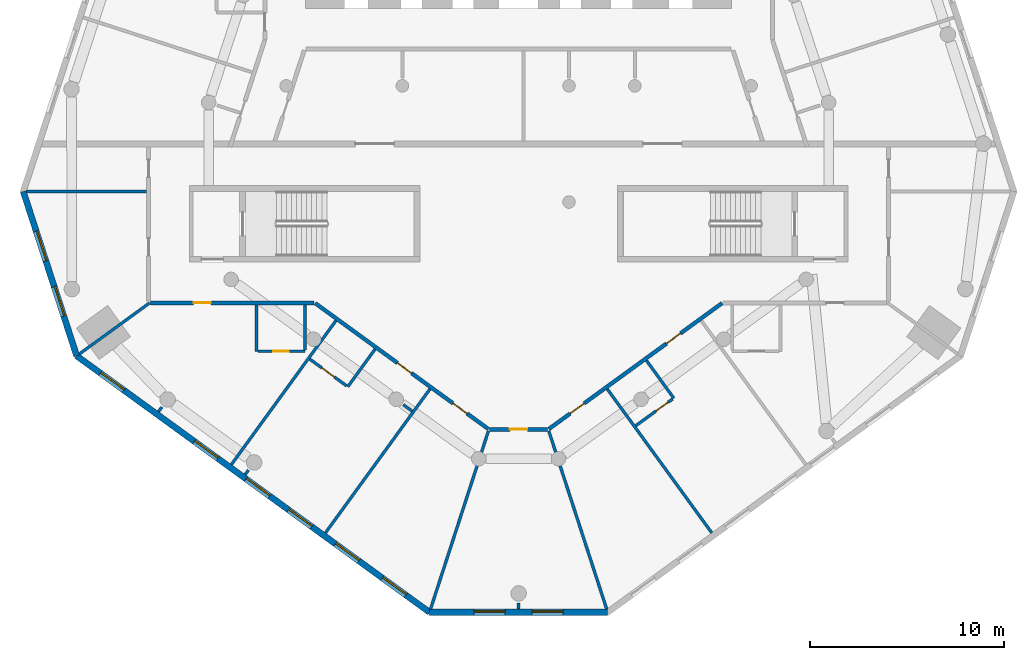
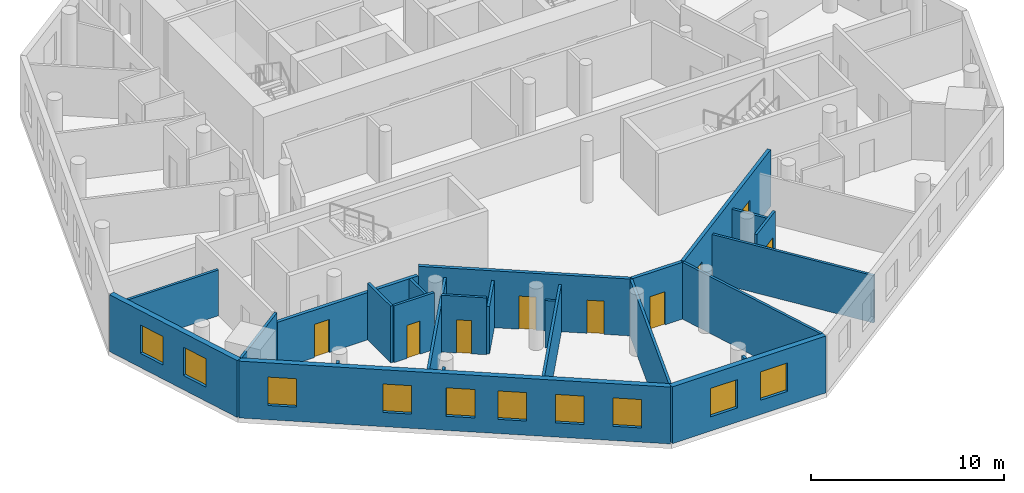
# One storey, part 2 of 9: 25 walls, 10 windows, 9 doors, 19 openings.
"""IFC4 building model written with IfcOpenShell, lengths in metres."""

from ifc_helpers import new_model, si_unit, direction, frame, frame_2d, origin, place, context, subcontext, project, spatial, rectangle, extrude, material, layer, layer_set, type_object, element, fill, save


model = new_model("IFC4")

# Units and contexts
model_context = context("Model", 3, precision=1e-05, world=origin(), true_north=direction((0.0, 1.0)))
body_context = subcontext(model_context, "Body", "Model", "MODEL_VIEW")
ifc_project = project(units=[si_unit("LENGTHUNIT", "METRE"), si_unit("AREAUNIT", "SQUARE_METRE"), si_unit("VOLUMEUNIT", "CUBIC_METRE"), si_unit("PLANEANGLEUNIT", "RADIAN"), si_unit("MASSUNIT", "GRAM", prefix="KILO")], contexts=[model_context])

# Site, building, storey
site_placement = place(None, origin())
site = spatial("IfcSite", under=ifc_project, at=site_placement, CompositionType="ELEMENT")
building_placement = place(site_placement, origin())
building = spatial("IfcBuilding", under=site, at=building_placement, Name="White Candle Pilgrim Tower", CompositionType="ELEMENT")
storey_placement = place(building_placement, frame((0.0, 0.0, 122.0)))
storey = spatial("IfcBuildingStorey", under=building, at=storey_placement, Name="L27", CompositionType="ELEMENT", Elevation=122.0)

# Wall, openings, doors
ifc_material_1 = material(Name="Gypsum board on steel studs", Category="steel")
ifc_layer_1 = layer(ifc_material_1, 0.199951171875)
ifc_layer_set_1 = layer_set([ifc_layer_1], Name="Corridor wall 200 mm EI 45")
wall_type_1 = type_object("IfcWallType", Name="Corridor wall 200 mm EI 45", PredefinedType="PARTITIONING", material=ifc_layer_set_1)
wall_1_placement = place(storey_placement, frame((80.49951171875, 55.781005859375, 0.0), z_axis=(0.0, 0.0, 1.0), x_axis=(-0.809011116472, -0.587793342447, 0.0)))
wall_1 = element("IfcWall", 1, at=wall_1_placement, inside=storey, type_object=wall_type_1, Name="WL-L27-P008", PredefinedType="PARTITIONING", context=body_context, shape_type="SweptSolid", body=[
    extrude(rectangle(XDim=11.0517578125, YDim=0.199951171875, at=frame_2d((5.52587890625, 0.0))), origin(), (0.0, 0.0, 1.0), 3.60009765625),
])
opening_1_placement = place(wall_1_placement, frame((8.789794921875, 0.0, 0.0)))
opening_1 = element("IfcOpeningElement", 2, at=opening_1_placement, cuts=wall_1, Name="Opening T08-110", PredefinedType="OPENING", context=body_context, shape_type="SweptSolid", body=[
    extrude(rectangle(XDim=0.89990234375, YDim=2.10009765625, at=frame_2d((0.449951171875, 1.050048828125))), frame((0.0, 0.10986328125, 0.0), z_axis=(0.0, -1.0, 0.0), x_axis=(1.0, 0.0, 0.0)), (0.0, 0.0, 1.0), 0.219970703125),
])
opening_2_placement = place(wall_1_placement, frame((2.6455078125, 0.0, 0.0)))
opening_2 = element("IfcOpeningElement", 3, at=opening_2_placement, cuts=wall_1, Name="Opening T08-112", PredefinedType="OPENING", context=body_context, shape_type="SweptSolid", body=[
    extrude(rectangle(XDim=0.89990234375, YDim=2.10009765625, at=frame_2d((0.449951171875, 1.050048828125))), frame((0.0, 0.10986328125, 0.0), z_axis=(0.0, -1.0, 0.0), x_axis=(1.0, 0.0, 0.0)), (0.0, 0.0, 1.0), 0.219970703125),
])
ifc_material_2 = material(Name="Steel door leaf", Category="steel")
door_type_1 = type_object("IfcDoorType", Name="Fire door 900 x 2100 EI 30", OperationType="NOTDEFINED", PredefinedType="DOOR", material=ifc_material_2)
door_1_placement = place(opening_1_placement, origin())
door_1 = element("IfcDoor", 4, at=door_1_placement, inside=storey, type_object=door_type_1, Name="Door T08-110", OperationType="SINGLE_SWING_RIGHT", OverallHeight=2.10009765625, OverallWidth=0.89990234375, PredefinedType="DOOR", context=body_context, shape_type="SweptSolid", body=[
    extrude(rectangle(XDim=0.89990234375, YDim=2.10009765625, at=frame_2d((0.449951171875, 1.050048828125))), frame((0.0, 0.02490234375, 0.0), z_axis=(0.0, -1.0, 0.0), x_axis=(1.0, 0.0, 0.0)), (0.0, 0.0, 1.0), 0.050048828125),
])
fill(opening_1, door_1)
door_2_placement = place(opening_2_placement, origin())
door_2 = element("IfcDoor", 5, at=door_2_placement, inside=storey, type_object=door_type_1, Name="Door T08-112", OperationType="SINGLE_SWING_RIGHT", OverallHeight=2.10009765625, OverallWidth=0.89990234375, PredefinedType="DOOR", context=body_context, shape_type="SweptSolid", body=[
    extrude(rectangle(XDim=0.89990234375, YDim=2.10009765625, at=frame_2d((0.449951171875, 1.050048828125))), frame((0.0, 0.02490234375, 0.0), z_axis=(0.0, -1.0, 0.0), x_axis=(1.0, 0.0, 0.0)), (0.0, 0.0, 1.0), 0.050048828125),
])
fill(opening_2, door_2)

# Wall, opening, door
wall_2_placement = place(storey_placement, frame((71.499755859375, 49.265869140625, 0.0), z_axis=(0.0, 0.0, 1.0), x_axis=(-1.0, 0.0, 0.0)))
wall_2 = element("IfcWall", 6, at=wall_2_placement, inside=storey, type_object=wall_type_1, Name="WL-L27-P009", PredefinedType="PARTITIONING", context=body_context, shape_type="SweptSolid", body=[
    extrude(rectangle(XDim=2.99951171875, YDim=0.199951171875, at=frame_2d((1.499755859375, 0.0))), origin(), (0.0, 0.0, 1.0), 3.60009765625),
])
opening_3_placement = place(wall_2_placement, frame((1.0498046875, 0.0, 0.0)))
opening_3 = element("IfcOpeningElement", 7, at=opening_3_placement, cuts=wall_2, Name="Opening T08-109", PredefinedType="OPENING", context=body_context, shape_type="SweptSolid", body=[
    extrude(rectangle(XDim=0.89990234375, YDim=2.10009765625, at=frame_2d((0.449951171875, 1.050048828125))), frame((0.0, 0.10986328125, 0.0), z_axis=(0.0, -1.0, 0.0), x_axis=(1.0, 0.0, 0.0)), (0.0, 0.0, 1.0), 0.219970703125),
])
door_3_placement = place(opening_3_placement, origin())
door_3 = element("IfcDoor", 8, at=door_3_placement, inside=storey, type_object=door_type_1, Name="Door T08-109", OperationType="SINGLE_SWING_LEFT", OverallHeight=2.10009765625, OverallWidth=0.89990234375, PredefinedType="DOOR", context=body_context, shape_type="SweptSolid", body=[
    extrude(rectangle(XDim=0.89990234375, YDim=2.10009765625, at=frame_2d((0.449951171875, 1.050048828125))), frame((0.0, 0.02490234375, 0.0), z_axis=(0.0, -1.0, 0.0), x_axis=(1.0, 0.0, 0.0)), (0.0, 0.0, 1.0), 0.050048828125),
])
fill(opening_3, door_3)

# Wall, openings, doors
wall_3_placement = place(storey_placement, frame((68.44140625, 49.284912109375, 0.0), z_axis=(0.0, 0.0, 1.0), x_axis=(-0.809011116472, 0.587793342447, 0.0)))
wall_3 = element("IfcWall", 9, at=wall_3_placement, inside=storey, type_object=wall_type_1, Name="WL-L27-P010", PredefinedType="PARTITIONING", context=body_context, shape_type="SweptSolid", body=[
    extrude(rectangle(XDim=11.0517578125, YDim=0.199951171875, at=frame_2d((5.52587890625, 0.0))), origin(), (0.0, 0.0, 1.0), 3.60009765625),
])
opening_4_placement = place(wall_3_placement, frame((4.906005859375, 0.0, 0.0)))
opening_4 = element("IfcOpeningElement", 10, at=opening_4_placement, cuts=wall_3, Name="Opening T08-107", PredefinedType="OPENING", context=body_context, shape_type="SweptSolid", body=[
    extrude(rectangle(XDim=0.89990234375, YDim=2.10009765625, at=frame_2d((0.449951171875, 1.050048828125))), frame((0.0, 0.10986328125, 0.0), z_axis=(0.0, -1.0, 0.0), x_axis=(1.0, 0.0, 0.0)), (0.0, 0.0, 1.0), 0.219970703125),
])
opening_5_placement = place(wall_3_placement, frame((1.36181640625, 0.0, 0.0)))
opening_5 = element("IfcOpeningElement", 11, at=opening_5_placement, cuts=wall_3, Name="Opening T08-108", PredefinedType="OPENING", context=body_context, shape_type="SweptSolid", body=[
    extrude(rectangle(XDim=0.89990234375, YDim=2.10009765625, at=frame_2d((0.449951171875, 1.050048828125))), frame((0.0, 0.10986328125, 0.0), z_axis=(0.0, -1.0, 0.0), x_axis=(1.0, 0.0, 0.0)), (0.0, 0.0, 1.0), 0.219970703125),
])
door_4_placement = place(opening_4_placement, origin())
door_4 = element("IfcDoor", 12, at=door_4_placement, inside=storey, type_object=door_type_1, Name="Door T08-107", OperationType="SINGLE_SWING_LEFT", OverallHeight=2.10009765625, OverallWidth=0.89990234375, PredefinedType="DOOR", context=body_context, shape_type="SweptSolid", body=[
    extrude(rectangle(XDim=0.89990234375, YDim=2.10009765625, at=frame_2d((0.449951171875, 1.050048828125))), frame((0.0, 0.02490234375, 0.0), z_axis=(0.0, -1.0, 0.0), x_axis=(1.0, 0.0, 0.0)), (0.0, 0.0, 1.0), 0.050048828125),
])
fill(opening_4, door_4)
door_5_placement = place(opening_5_placement, origin())
door_5 = element("IfcDoor", 13, at=door_5_placement, inside=storey, type_object=door_type_1, Name="Door T08-108", OperationType="SINGLE_SWING_RIGHT", OverallHeight=2.10009765625, OverallWidth=0.89990234375, PredefinedType="DOOR", context=body_context, shape_type="SweptSolid", body=[
    extrude(rectangle(XDim=0.89990234375, YDim=2.10009765625, at=frame_2d((0.449951171875, 1.050048828125))), frame((0.0, 0.02490234375, 0.0), z_axis=(0.0, -1.0, 0.0), x_axis=(1.0, 0.0, 0.0)), (0.0, 0.0, 1.0), 0.050048828125),
])
fill(opening_5, door_5)

# Wall, opening, door
wall_4_placement = place(storey_placement, frame((59.44189453125, 55.800048828125, 0.0), z_axis=(0.0, 0.0, 1.0), x_axis=(-1.0, 0.0, 0.0)))
wall_4 = element("IfcWall", 14, at=wall_4_placement, inside=storey, type_object=wall_type_1, Name="WL-L27-P011", PredefinedType="PARTITIONING", context=body_context, shape_type="SweptSolid", body=[
    extrude(rectangle(XDim=8.44189453125, YDim=0.199951171875, at=frame_2d((4.220947265625, 0.0))), origin(), (0.0, 0.0, 1.0), 3.0),
])
opening_6_placement = place(wall_4_placement, frame((5.3232421875, 0.0, 0.0)))
opening_6 = element("IfcOpeningElement", 15, at=opening_6_placement, cuts=wall_4, Name="Opening T08-105", PredefinedType="OPENING", context=body_context, shape_type="SweptSolid", body=[
    extrude(rectangle(XDim=0.89990234375, YDim=2.10009765625, at=frame_2d((0.449951171875, 1.050048828125))), frame((0.0, 0.10986328125, 0.0), z_axis=(0.0, -1.0, 0.0), x_axis=(1.0, 0.0, 0.0)), (0.0, 0.0, 1.0), 0.219970703125),
])
door_6_placement = place(opening_6_placement, origin())
door_6 = element("IfcDoor", 16, at=door_6_placement, inside=storey, type_object=door_type_1, Name="Door T08-105", OperationType="SINGLE_SWING_LEFT", OverallHeight=2.10009765625, OverallWidth=0.89990234375, PredefinedType="DOOR", context=body_context, shape_type="SweptSolid", body=[
    extrude(rectangle(XDim=0.89990234375, YDim=2.10009765625, at=frame_2d((0.449951171875, 1.050048828125))), frame((0.0, 0.02490234375, 0.0), z_axis=(0.0, -1.0, 0.0), x_axis=(1.0, 0.0, 0.0)), (0.0, 0.0, 1.0), 0.050048828125),
])
fill(opening_6, door_6)

# Wall, openings, windows
ifc_material_3 = material(Name="Precast concrete C40/50", Category="concrete")
ifc_layer_2 = layer(ifc_material_3, 0.320068359375)
ifc_layer_set_2 = layer_set([ifc_layer_2], Name="Facade wall EW1 precast concrete C40/50 pier wall with timber-lined reveals")
wall_type_2 = type_object("IfcWallType", Name="Facade wall EW1 precast concrete C40/50 pier wall with timber-lined reveals", PredefinedType="SOLIDWALL", material=ifc_layer_set_2)
wall_5_placement = place(storey_placement, frame((44.431396484375, 61.54296875, 0.0), z_axis=(0.0, 0.0, 1.0), x_axis=(0.309002538333, -0.951061213227, 0.0)))
wall_5 = element("IfcWall", 17, at=wall_5_placement, inside=storey, type_object=wall_type_2, Name="Facade wall L27 W chamfer", PredefinedType="SOLIDWALL", context=body_context, shape_type="SweptSolid", body=[
    extrude(rectangle(XDim=8.921630859375, YDim=0.320068359375, at=frame_2d((4.4609375, 0.0))), origin(), (0.0, 0.0, 1.0), 3.60009765625),
])
opening_7_placement = place(wall_5_placement, frame((2.160888671875, 0.0, 0.89990234375)))
opening_7 = element("IfcOpeningElement", 18, at=opening_7_placement, cuts=wall_5, Name="Opening W2", PredefinedType="OPENING", context=body_context, shape_type="SweptSolid", body=[
    extrude(rectangle(XDim=1.60009765625, YDim=1.800048828125, at=frame_2d((0.800048828125, 0.89990234375))), frame((0.0, 0.169921875, 0.0), z_axis=(0.0, -1.0, 0.0), x_axis=(1.0, 0.0, 0.0)), (0.0, 0.0, 1.0), 0.340087890625),
])
opening_8_placement = place(wall_5_placement, frame((5.160888671875, 0.0, 0.89990234375)))
opening_8 = element("IfcOpeningElement", 19, at=opening_8_placement, cuts=wall_5, Name="Opening W2", PredefinedType="OPENING", context=body_context, shape_type="SweptSolid", body=[
    extrude(rectangle(XDim=1.60009765625, YDim=1.800048828125, at=frame_2d((0.800048828125, 0.89990234375))), frame((0.0, 0.169921875, 0.0), z_axis=(0.0, -1.0, 0.0), x_axis=(1.0, 0.0, 0.0)), (0.0, 0.0, 1.0), 0.340087890625),
])
ifc_material_4 = material(Name="Timber frame with triple glazing", Category="wood")
window_type_1 = type_object("IfcWindowType", Name="Window W2 1600x1800 timber frame triple glazing", PartitioningType="SINGLE_PANEL", PredefinedType="WINDOW", material=ifc_material_4)
window_1_placement = place(opening_7_placement, origin())
window_1 = element("IfcWindow", 20, at=window_1_placement, inside=storey, type_object=window_type_1, Name="Window W2 L27 W chamfer 1", OverallHeight=1.800048828125, OverallWidth=1.60009765625, PartitioningType="SINGLE_PANEL", PredefinedType="WINDOW", context=body_context, shape_type="SweptSolid", body=[
    extrude(rectangle(XDim=1.60009765625, YDim=1.800048828125, at=frame_2d((0.800048828125, 0.89990234375))), frame((0.0, 0.070068359375, 0.0), z_axis=(0.0, -1.0, 0.0), x_axis=(1.0, 0.0, 0.0)), (0.0, 0.0, 1.0), 0.06005859375),
])
fill(opening_7, window_1)
window_2_placement = place(opening_8_placement, origin())
window_2 = element("IfcWindow", 21, at=window_2_placement, inside=storey, type_object=window_type_1, Name="Window W2 L27 W chamfer 2", OverallHeight=1.800048828125, OverallWidth=1.60009765625, PartitioningType="SINGLE_PANEL", PredefinedType="WINDOW", context=body_context, shape_type="SweptSolid", body=[
    extrude(rectangle(XDim=1.60009765625, YDim=1.800048828125, at=frame_2d((0.800048828125, 0.89990234375))), frame((0.0, 0.070068359375, 0.0), z_axis=(0.0, -1.0, 0.0), x_axis=(1.0, 0.0, 0.0)), (0.0, 0.0, 1.0), 0.06005859375),
])
fill(opening_8, window_2)

wall_6_placement = place(storey_placement, frame((47.188232421875, 53.057861328125, 0.0), z_axis=(0.0, 0.0, 1.0), x_axis=(0.809016442358, -0.587786012077, 0.0)))
wall_6 = element("IfcWall", 22, at=wall_6_placement, inside=storey, type_object=wall_type_2, Name="Facade wall L27 SW", PredefinedType="SOLIDWALL", context=body_context, shape_type="SweptSolid", body=[
    extrude(rectangle(XDim=22.511474609375, YDim=0.320068359375, at=frame_2d((11.255859375, 0.0))), origin(), (0.0, 0.0, 1.0), 3.60009765625),
])
opening_9_placement = place(wall_6_placement, frame((1.505615234375, 0.0, 0.89990234375)))
opening_9 = element("IfcOpeningElement", 23, at=opening_9_placement, cuts=wall_6, Name="Opening W1", PredefinedType="OPENING", context=body_context, shape_type="SweptSolid", body=[
    extrude(rectangle(XDim=1.5, YDim=1.800048828125, at=frame_2d((0.75, 0.89990234375))), frame((0.0, 0.169921875, 0.0), z_axis=(0.0, -1.0, 0.0), x_axis=(1.0, 0.0, 0.0)), (0.0, 0.0, 1.0), 0.340087890625),
])
opening_10_placement = place(wall_6_placement, frame((7.505615234375, 0.0, 0.89990234375)))
opening_10 = element("IfcOpeningElement", 24, at=opening_10_placement, cuts=wall_6, Name="Opening W1", PredefinedType="OPENING", context=body_context, shape_type="SweptSolid", body=[
    extrude(rectangle(XDim=1.5, YDim=1.800048828125, at=frame_2d((0.75, 0.89990234375))), frame((0.0, 0.169921875, 0.0), z_axis=(0.0, -1.0, 0.0), x_axis=(1.0, 0.0, 0.0)), (0.0, 0.0, 1.0), 0.340087890625),
])
opening_11_placement = place(wall_6_placement, frame((10.80859375, 0.0, 0.89990234375)))
opening_11 = element("IfcOpeningElement", 25, at=opening_11_placement, cuts=wall_6, Name="Opening W1", PredefinedType="OPENING", context=body_context, shape_type="SweptSolid", body=[
    extrude(rectangle(XDim=1.5, YDim=1.800048828125, at=frame_2d((0.75, 0.89990234375))), frame((0.0, 0.169921875, 0.0), z_axis=(0.0, -1.0, 0.0), x_axis=(1.0, 0.0, 0.0)), (0.0, 0.0, 1.0), 0.340087890625),
])
opening_12_placement = place(wall_6_placement, frame((13.505615234375, 0.0, 0.89990234375)))
opening_12 = element("IfcOpeningElement", 26, at=opening_12_placement, cuts=wall_6, Name="Opening W1", PredefinedType="OPENING", context=body_context, shape_type="SweptSolid", body=[
    extrude(rectangle(XDim=1.5, YDim=1.800048828125, at=frame_2d((0.75, 0.89990234375))), frame((0.0, 0.169921875, 0.0), z_axis=(0.0, -1.0, 0.0), x_axis=(1.0, 0.0, 0.0)), (0.0, 0.0, 1.0), 0.340087890625),
])
opening_13_placement = place(wall_6_placement, frame((16.505615234375, 0.0, 0.89990234375)))
opening_13 = element("IfcOpeningElement", 27, at=opening_13_placement, cuts=wall_6, Name="Opening W1", PredefinedType="OPENING", context=body_context, shape_type="SweptSolid", body=[
    extrude(rectangle(XDim=1.5, YDim=1.800048828125, at=frame_2d((0.75, 0.89990234375))), frame((0.0, 0.169921875, 0.0), z_axis=(0.0, -1.0, 0.0), x_axis=(1.0, 0.0, 0.0)), (0.0, 0.0, 1.0), 0.340087890625),
])
opening_14_placement = place(wall_6_placement, frame((19.505615234375, 0.0, 0.89990234375)))
opening_14 = element("IfcOpeningElement", 28, at=opening_14_placement, cuts=wall_6, Name="Opening W1", PredefinedType="OPENING", context=body_context, shape_type="SweptSolid", body=[
    extrude(rectangle(XDim=1.5, YDim=1.800048828125, at=frame_2d((0.75, 0.89990234375))), frame((0.0, 0.169921875, 0.0), z_axis=(0.0, -1.0, 0.0), x_axis=(1.0, 0.0, 0.0)), (0.0, 0.0, 1.0), 0.340087890625),
])
window_type_2 = type_object("IfcWindowType", Name="Window W1 1500x1800 timber frame triple glazing", PartitioningType="SINGLE_PANEL", PredefinedType="WINDOW", material=ifc_material_4)
window_3_placement = place(opening_9_placement, origin())
window_3 = element("IfcWindow", 29, at=window_3_placement, inside=storey, type_object=window_type_2, Name="Window W1 L27 SW 1", OverallHeight=1.800048828125, OverallWidth=1.5, PartitioningType="SINGLE_PANEL", PredefinedType="WINDOW", context=body_context, shape_type="SweptSolid", body=[
    extrude(rectangle(XDim=1.5, YDim=1.800048828125, at=frame_2d((0.75, 0.89990234375))), frame((0.0, 0.070068359375, 0.0), z_axis=(0.0, -1.0, 0.0), x_axis=(1.0, 0.0, 0.0)), (0.0, 0.0, 1.0), 0.06005859375),
])
fill(opening_9, window_3)
window_4_placement = place(opening_10_placement, origin())
window_4 = element("IfcWindow", 30, at=window_4_placement, inside=storey, type_object=window_type_2, Name="Window W1 L27 SW 3", OverallHeight=1.800048828125, OverallWidth=1.5, PartitioningType="SINGLE_PANEL", PredefinedType="WINDOW", context=body_context, shape_type="SweptSolid", body=[
    extrude(rectangle(XDim=1.5, YDim=1.800048828125, at=frame_2d((0.75, 0.89990234375))), frame((0.0, 0.070068359375, 0.0), z_axis=(0.0, -1.0, 0.0), x_axis=(1.0, 0.0, 0.0)), (0.0, 0.0, 1.0), 0.06005859375),
])
fill(opening_10, window_4)
window_5_placement = place(opening_11_placement, origin())
window_5 = element("IfcWindow", 31, at=window_5_placement, inside=storey, type_object=window_type_2, Name="Window W1 L27 SW 4", OverallHeight=1.800048828125, OverallWidth=1.5, PartitioningType="SINGLE_PANEL", PredefinedType="WINDOW", context=body_context, shape_type="SweptSolid", body=[
    extrude(rectangle(XDim=1.5, YDim=1.800048828125, at=frame_2d((0.75, 0.89990234375))), frame((0.0, 0.070068359375, 0.0), z_axis=(0.0, -1.0, 0.0), x_axis=(1.0, 0.0, 0.0)), (0.0, 0.0, 1.0), 0.06005859375),
])
fill(opening_11, window_5)
window_6_placement = place(opening_12_placement, origin())
window_6 = element("IfcWindow", 32, at=window_6_placement, inside=storey, type_object=window_type_2, Name="Window W1 L27 SW 5", OverallHeight=1.800048828125, OverallWidth=1.5, PartitioningType="SINGLE_PANEL", PredefinedType="WINDOW", context=body_context, shape_type="SweptSolid", body=[
    extrude(rectangle(XDim=1.5, YDim=1.800048828125, at=frame_2d((0.75, 0.89990234375))), frame((0.0, 0.070068359375, 0.0), z_axis=(0.0, -1.0, 0.0), x_axis=(1.0, 0.0, 0.0)), (0.0, 0.0, 1.0), 0.06005859375),
])
fill(opening_12, window_6)
window_7_placement = place(opening_13_placement, origin())
window_7 = element("IfcWindow", 33, at=window_7_placement, inside=storey, type_object=window_type_2, Name="Window W1 L27 SW 6", OverallHeight=1.800048828125, OverallWidth=1.5, PartitioningType="SINGLE_PANEL", PredefinedType="WINDOW", context=body_context, shape_type="SweptSolid", body=[
    extrude(rectangle(XDim=1.5, YDim=1.800048828125, at=frame_2d((0.75, 0.89990234375))), frame((0.0, 0.070068359375, 0.0), z_axis=(0.0, -1.0, 0.0), x_axis=(1.0, 0.0, 0.0)), (0.0, 0.0, 1.0), 0.06005859375),
])
fill(opening_13, window_7)
window_8_placement = place(opening_14_placement, origin())
window_8 = element("IfcWindow", 34, at=window_8_placement, inside=storey, type_object=window_type_2, Name="Window W1 L27 SW 7", OverallHeight=1.800048828125, OverallWidth=1.5, PartitioningType="SINGLE_PANEL", PredefinedType="WINDOW", context=body_context, shape_type="SweptSolid", body=[
    extrude(rectangle(XDim=1.5, YDim=1.800048828125, at=frame_2d((0.75, 0.89990234375))), frame((0.0, 0.070068359375, 0.0), z_axis=(0.0, -1.0, 0.0), x_axis=(1.0, 0.0, 0.0)), (0.0, 0.0, 1.0), 0.06005859375),
])
fill(opening_14, window_8)

wall_7_placement = place(storey_placement, frame((65.400390625, 39.825927734375, 0.0), z_axis=(0.0, 0.0, 1.0), x_axis=(1.0, 0.0, 0.0)))
wall_7 = element("IfcWall", 35, at=wall_7_placement, inside=storey, type_object=wall_type_2, Name="Facade wall L27 S chamfer", PredefinedType="SOLIDWALL", context=body_context, shape_type="SweptSolid", body=[
    extrude(rectangle(XDim=9.19921875, YDim=0.320068359375, at=frame_2d((4.599609375, 0.0))), origin(), (0.0, 0.0, 1.0), 3.60009765625),
])
opening_15_placement = place(wall_7_placement, frame((2.299560546875, 0.0, 0.89990234375)))
opening_15 = element("IfcOpeningElement", 36, at=opening_15_placement, cuts=wall_7, Name="Opening W2", PredefinedType="OPENING", context=body_context, shape_type="SweptSolid", body=[
    extrude(rectangle(XDim=1.60009765625, YDim=1.800048828125, at=frame_2d((0.800048828125, 0.89990234375))), frame((0.0, 0.169921875, 0.0), z_axis=(0.0, -1.0, 0.0), x_axis=(1.0, 0.0, 0.0)), (0.0, 0.0, 1.0), 0.340087890625),
])
opening_16_placement = place(wall_7_placement, frame((5.299560546875, 0.0, 0.89990234375)))
opening_16 = element("IfcOpeningElement", 37, at=opening_16_placement, cuts=wall_7, Name="Opening W2", PredefinedType="OPENING", context=body_context, shape_type="SweptSolid", body=[
    extrude(rectangle(XDim=1.60009765625, YDim=1.800048828125, at=frame_2d((0.800048828125, 0.89990234375))), frame((0.0, 0.169921875, 0.0), z_axis=(0.0, -1.0, 0.0), x_axis=(1.0, 0.0, 0.0)), (0.0, 0.0, 1.0), 0.340087890625),
])
window_9_placement = place(opening_15_placement, origin())
window_9 = element("IfcWindow", 38, at=window_9_placement, inside=storey, type_object=window_type_1, Name="Window W2 L27 S chamfer 1", OverallHeight=1.800048828125, OverallWidth=1.60009765625, PartitioningType="SINGLE_PANEL", PredefinedType="WINDOW", context=body_context, shape_type="SweptSolid", body=[
    extrude(rectangle(XDim=1.60009765625, YDim=1.800048828125, at=frame_2d((0.800048828125, 0.89990234375))), frame((0.0, 0.070068359375, 0.0), z_axis=(0.0, -1.0, 0.0), x_axis=(1.0, 0.0, 0.0)), (0.0, 0.0, 1.0), 0.06005859375),
])
fill(opening_15, window_9)
window_10_placement = place(opening_16_placement, origin())
window_10 = element("IfcWindow", 39, at=window_10_placement, inside=storey, type_object=window_type_1, Name="Window W2 L27 S chamfer 2", OverallHeight=1.800048828125, OverallWidth=1.60009765625, PartitioningType="SINGLE_PANEL", PredefinedType="WINDOW", context=body_context, shape_type="SweptSolid", body=[
    extrude(rectangle(XDim=1.60009765625, YDim=1.800048828125, at=frame_2d((0.800048828125, 0.89990234375))), frame((0.0, 0.070068359375, 0.0), z_axis=(0.0, -1.0, 0.0), x_axis=(1.0, 0.0, 0.0)), (0.0, 0.0, 1.0), 0.06005859375),
])
fill(opening_16, window_10)

# Walls
ifc_layer_3 = layer(ifc_material_1, 0.14990234375)
ifc_layer_set_3 = layer_set([ifc_layer_3], Name="Partition 150 mm EI 60")
wall_type_3 = type_object("IfcWallType", Name="Partition 150 mm EI 60", PredefinedType="PARTITIONING", material=ifc_layer_set_3)
wall_8_placement = place(storey_placement, frame((44.599609375, 61.54296875, 0.0), z_axis=(0.0, 0.0, 1.0), x_axis=(1.0, 0.0, 0.0)))
element("IfcWall", 40, at=wall_8_placement, inside=storey, type_object=wall_type_3, Name="WL-L27-P017", PredefinedType="PARTITIONING", context=body_context, shape_type="SweptSolid", body=[
    extrude(rectangle(XDim=6.200439453125, YDim=0.14990234375, at=frame_2d((3.10009765625, 0.0))), origin(), (0.0, 0.0, 1.0), 2.89990234375),
])
wall_9_placement = place(storey_placement, frame((47.324462890625, 53.15673828125, 0.0), z_axis=(0.0, 0.0, 1.0), x_axis=(0.809006482004, 0.587799721058, 0.0)))
element("IfcWall", 41, at=wall_9_placement, inside=storey, type_object=wall_type_3, Name="WL-L27-P018", PredefinedType="PARTITIONING", context=body_context, shape_type="SweptSolid", body=[
    extrude(rectangle(XDim=4.48876953125, YDim=0.14990234375, at=frame_2d((2.244384765625, 0.0))), origin(), (0.0, 0.0, 1.0), 3.60009765625),
])
for number, where, z_axis, x_axis, name in (
    (42, (65.452392578125, 39.98583984375, 0.0), (0.0, 0.0, 1.0), (0.309017584441, 0.951056324571, 0.0), "WL-L27-P019"),
    (43, (74.547607421875, 39.98583984375, 0.0), (0.0, 0.0, 1.0), (-0.309017584441, 0.951056324571, 0.0), "WL-L27-P020"),
):
    element("IfcWall", number, at=place(storey_placement, frame(where, z_axis=z_axis, x_axis=x_axis)), inside=storey, type_object=wall_type_3, Name=name, PredefinedType="PARTITIONING", context=body_context, shape_type="SweptSolid", body=[
        extrude(rectangle(XDim=9.672607421875, YDim=0.14990234375, at=frame_2d((4.83642578125, 0.0))), origin(), (0.0, 0.0, 1.0), 3.60009765625),
    ])
wall_10_placement = place(storey_placement, frame((55.1748046875, 47.452880859375, 0.0), z_axis=(0.0, 0.0, 1.0), x_axis=(0.587795283542, 0.809009706151, 0.0)))
element("IfcWall", 44, at=wall_10_placement, inside=storey, type_object=wall_type_3, Name="WL-L27-P033", PredefinedType="PARTITIONING", context=body_context, shape_type="SweptSolid", body=[
    extrude(rectangle(XDim=9.18017578125, YDim=0.14990234375, at=frame_2d((4.590087890625, 0.0))), origin(), (0.0, 0.0, 1.0), 3.0),
])
wall_11_placement = place(storey_placement, frame((60.029052734375, 43.92626953125, 0.0), z_axis=(0.0, 0.0, 1.0), x_axis=(0.587777877013, 0.809022352778, 0.0)))
element("IfcWall", 45, at=wall_11_placement, inside=storey, type_object=wall_type_3, Name="WL-L27-P034", PredefinedType="PARTITIONING", context=body_context, shape_type="SweptSolid", body=[
    extrude(rectangle(XDim=9.179931640625, YDim=0.14990234375, at=frame_2d((4.58984375, 0.0))), origin(), (0.0, 0.0, 1.0), 3.0),
])
wall_12_placement = place(storey_placement, frame((56.474365234375, 55.699951171875, 0.0), z_axis=(0.0, 0.0, 1.0), x_axis=(0.0, -1.0, 0.0)))
element("IfcWall", 46, at=wall_12_placement, inside=storey, type_object=wall_type_3, Name="WL-L27-P035", PredefinedType="PARTITIONING", context=body_context, shape_type="SweptSolid", body=[
    extrude(rectangle(XDim=2.39990234375, YDim=0.14990234375, at=frame_2d((1.199951171875, 0.0))), origin(), (0.0, 0.0, 1.0), 3.60009765625),
])

# Wall, opening, door
wall_13_placement = place(storey_placement, frame((58.974365234375, 53.300048828125, 0.0), z_axis=(0.0, 0.0, 1.0), x_axis=(-1.0, 0.0, 0.0)))
wall_13 = element("IfcWall", 47, at=wall_13_placement, inside=storey, type_object=wall_type_3, Name="WL-L27-P036", PredefinedType="PARTITIONING", context=body_context, shape_type="SweptSolid", body=[
    extrude(rectangle(XDim=2.425048828125, YDim=0.14990234375, at=frame_2d((1.21240234375, 0.0))), origin(), (0.0, 0.0, 1.0), 3.60009765625),
])
opening_17_placement = place(wall_13_placement, frame((0.85009765625, 0.0, 0.0)))
opening_17 = element("IfcOpeningElement", 48, at=opening_17_placement, cuts=wall_13, Name="Opening T08-104", PredefinedType="OPENING", context=body_context, shape_type="SweptSolid", body=[
    extrude(rectangle(XDim=0.800048828125, YDim=2.10009765625, at=frame_2d((0.39990234375, 1.050048828125))), frame((0.0, 0.0849609375, 0.0), z_axis=(0.0, -1.0, 0.0), x_axis=(1.0, 0.0, 0.0)), (0.0, 0.0, 1.0), 0.169921875),
])
door_type_2 = type_object("IfcDoorType", Name="Fire door 800 x 2100 EI 30", OperationType="NOTDEFINED", PredefinedType="DOOR", material=ifc_material_2)
door_7_placement = place(opening_17_placement, origin())
door_7 = element("IfcDoor", 49, at=door_7_placement, inside=storey, type_object=door_type_2, Name="Door T08-104", OperationType="SINGLE_SWING_RIGHT", OverallHeight=2.10009765625, OverallWidth=0.800048828125, PredefinedType="DOOR", context=body_context, shape_type="SweptSolid", body=[
    extrude(rectangle(XDim=0.800048828125, YDim=2.10009765625, at=frame_2d((0.39990234375, 1.050048828125))), frame((0.0, 0.02490234375, 0.0), z_axis=(0.0, -1.0, 0.0), x_axis=(1.0, 0.0, 0.0)), (0.0, 0.0, 1.0), 0.050048828125),
])
fill(opening_17, door_7)

# Walls
wall_14_placement = place(storey_placement, frame((58.974365234375, 55.699951171875, 0.0), z_axis=(0.0, 0.0, 1.0), x_axis=(0.0, -1.0, 0.0)))
element("IfcWall", 50, at=wall_14_placement, inside=storey, type_object=wall_type_3, Name="WL-L27-P037", PredefinedType="PARTITIONING", context=body_context, shape_type="SweptSolid", body=[
    extrude(rectangle(XDim=2.324951171875, YDim=0.14990234375, at=frame_2d((1.16259765625, 0.0))), origin(), (0.0, 0.0, 1.0), 3.0),
])
wall_15_placement = place(storey_placement, frame((62.59326171875, 53.410400390625, 0.0), z_axis=(0.0, 0.0, 1.0), x_axis=(-0.587724050354, -0.809061456649, 0.0)))
element("IfcWall", 51, at=wall_15_placement, inside=storey, type_object=wall_type_3, Name="WL-L27-P038", PredefinedType="PARTITIONING", context=body_context, shape_type="SweptSolid", body=[
    extrude(rectangle(XDim=2.400146484375, YDim=0.14990234375, at=frame_2d((1.2001953125, 0.0))), origin(), (0.0, 0.0, 1.0), 3.0),
])

# Wall, opening, door
wall_16_placement = place(storey_placement, frame((59.220703125, 52.89404296875, 0.0), z_axis=(0.0, 0.0, 1.0), x_axis=(0.809032466197, -0.587763956567, 0.0)))
wall_16 = element("IfcWall", 52, at=wall_16_placement, inside=storey, type_object=wall_type_3, Name="WL-L27-P039", PredefinedType="PARTITIONING", context=body_context, shape_type="SweptSolid", body=[
    extrude(rectangle(XDim=2.35009765625, YDim=0.14990234375, at=frame_2d((1.175048828125, 0.0))), origin(), (0.0, 0.0, 1.0), 3.60009765625),
])
opening_18_placement = place(wall_16_placement, frame((0.77490234375, 0.0, 0.0)))
opening_18 = element("IfcOpeningElement", 53, at=opening_18_placement, cuts=wall_16, Name="Opening T08-106", PredefinedType="OPENING", context=body_context, shape_type="SweptSolid", body=[
    extrude(rectangle(XDim=0.800048828125, YDim=2.10009765625, at=frame_2d((0.39990234375, 1.050048828125))), frame((0.0, 0.0849609375, 0.0), z_axis=(0.0, -1.0, 0.0), x_axis=(1.0, 0.0, 0.0)), (0.0, 0.0, 1.0), 0.169921875),
])
door_8_placement = place(opening_18_placement, frame((0.800048828125, 0.0, 0.0), z_axis=(0.0, 0.0, 1.0), x_axis=(-1.0, 0.0, 0.0)))
door_8 = element("IfcDoor", 54, at=door_8_placement, inside=storey, type_object=door_type_2, Name="Door T08-106", OperationType="SINGLE_SWING_LEFT", OverallHeight=2.10009765625, OverallWidth=0.800048828125, PredefinedType="DOOR", context=body_context, shape_type="SweptSolid", body=[
    extrude(rectangle(XDim=0.800048828125, YDim=2.10009765625, at=frame_2d((0.39990234375, 1.050048828125))), frame((0.0, 0.02490234375, 0.0), z_axis=(0.0, -1.0, 0.0), x_axis=(1.0, 0.0, 0.0)), (0.0, 0.0, 1.0), 0.050048828125),
])
fill(opening_18, door_8)

# Walls
wall_17_placement = place(storey_placement, frame((79.970947265625, 43.92626953125, 0.0), z_axis=(0.0, 0.0, 1.0), x_axis=(-0.587777877013, 0.809022352778, 0.0)))
element("IfcWall", 55, at=wall_17_placement, inside=storey, type_object=wall_type_3, Name="WL-L27-P040", PredefinedType="PARTITIONING", context=body_context, shape_type="SweptSolid", body=[
    extrude(rectangle(XDim=9.179931640625, YDim=0.14990234375, at=frame_2d((4.58984375, 0.0))), origin(), (0.0, 0.0, 1.0), 3.0),
])
wall_18_placement = place(storey_placement, frame((76.59765625, 52.822509765625, 0.0), z_axis=(0.0, 0.0, 1.0), x_axis=(0.587772420479, -0.809026317077, 0.0)))
element("IfcWall", 56, at=wall_18_placement, inside=storey, type_object=wall_type_3, Name="WL-L27-P042", PredefinedType="PARTITIONING", context=body_context, shape_type="SweptSolid", body=[
    extrude(rectangle(XDim=2.39990234375, YDim=0.14990234375, at=frame_2d((1.199951171875, 0.0))), origin(), (0.0, 0.0, 1.0), 3.0),
])

# Wall, opening, door
wall_19_placement = place(storey_placement, frame((76.04638671875, 49.45556640625, 0.0), z_axis=(0.0, 0.0, 1.0), x_axis=(0.809032466197, 0.587763956567, 0.0)))
wall_19 = element("IfcWall", 57, at=wall_19_placement, inside=storey, type_object=wall_type_3, Name="WL-L27-P043", PredefinedType="PARTITIONING", context=body_context, shape_type="SweptSolid", body=[
    extrude(rectangle(XDim=2.35009765625, YDim=0.14990234375, at=frame_2d((1.175048828125, 0.0))), origin(), (0.0, 0.0, 1.0), 3.60009765625),
])
opening_19_placement = place(wall_19_placement, frame((1.27490234375, 0.0, 0.0)))
opening_19 = element("IfcOpeningElement", 58, at=opening_19_placement, cuts=wall_19, Name="Opening T08-111", PredefinedType="OPENING", context=body_context, shape_type="SweptSolid", body=[
    extrude(rectangle(XDim=0.800048828125, YDim=2.10009765625, at=frame_2d((0.39990234375, 1.050048828125))), frame((0.0, 0.0849609375, 0.0), z_axis=(0.0, -1.0, 0.0), x_axis=(1.0, 0.0, 0.0)), (0.0, 0.0, 1.0), 0.169921875),
])
door_9_placement = place(opening_19_placement, frame((0.800048828125, 0.0, 0.0), z_axis=(0.0, 0.0, 1.0), x_axis=(-1.0, 0.0, 0.0)))
door_9 = element("IfcDoor", 59, at=door_9_placement, inside=storey, type_object=door_type_2, Name="Door T08-111", OperationType="SINGLE_SWING_RIGHT", OverallHeight=2.10009765625, OverallWidth=0.800048828125, PredefinedType="DOOR", context=body_context, shape_type="SweptSolid", body=[
    extrude(rectangle(XDim=0.800048828125, YDim=2.10009765625, at=frame_2d((0.39990234375, 1.050048828125))), frame((0.0, 0.02490234375, 0.0), z_axis=(0.0, -1.0, 0.0), x_axis=(1.0, 0.0, 0.0)), (0.0, 0.0, 1.0), 0.050048828125),
])
fill(opening_19, door_9)

# Walls
wall_20_placement = place(storey_placement, frame((51.583984375, 50.419677734375, 0.0), z_axis=(0.0, 0.0, 1.0), x_axis=(-0.587920898532, -0.808918424236, 0.0)))
element("IfcWall", 60, at=wall_20_placement, inside=storey, type_object=wall_type_3, Name="WL-L27-P050", PredefinedType="PARTITIONING", context=body_context, shape_type="SweptSolid", body=[
    extrude(rectangle(XDim=0.28955078125, YDim=0.14990234375, at=frame_2d((0.144775390625, 0.0))), origin(), (0.0, 0.0, 1.0), 3.60009765625),
])
wall_21_placement = place(storey_placement, frame((56.053955078125, 47.169677734375, 0.0), z_axis=(0.0, 0.0, 1.0), x_axis=(-0.587565700177, -0.809176462816, 0.0)))
element("IfcWall", 61, at=wall_21_placement, inside=storey, type_object=wall_type_3, Name="WL-L27-P051", PredefinedType="PARTITIONING", context=body_context, shape_type="SweptSolid", body=[
    extrude(rectangle(XDim=0.28759765625, YDim=0.14990234375, at=frame_2d((0.143798828125, 0.0))), origin(), (0.0, 0.0, 1.0), 3.60009765625),
])
wall_22_placement = place(storey_placement, frame((70.002197265625, 40.31005859375, 0.0), z_axis=(0.0, 0.0, 1.0), x_axis=(0.0, -1.0, 0.0)))
element("IfcWall", 62, at=wall_22_placement, inside=storey, type_object=wall_type_3, Name="WL-L27-P052", PredefinedType="PARTITIONING", context=body_context, shape_type="SweptSolid", body=[
    extrude(rectangle(XDim=0.32421875, YDim=0.14990234375, at=frame_2d((0.162109375, 0.0))), origin(), (0.0, 0.0, 1.0), 3.60009765625),
])
wall_23_placement = place(storey_placement, frame((64.050537109375, 50.539306640625, 0.0), z_axis=(0.0, 0.0, 1.0), x_axis=(0.808981707372, -0.58783381762, 0.0)))
element("IfcWall", 63, at=wall_23_placement, inside=storey, type_object=wall_type_3, Name="WL-L27-P054", PredefinedType="PARTITIONING", context=body_context, shape_type="SweptSolid", body=[
    extrude(rectangle(XDim=0.55859375, YDim=0.14990234375, at=frame_2d((0.279296875, 0.0))), origin(), (0.0, 0.0, 1.0), 3.0),
])

save(model, "model.ifc")
